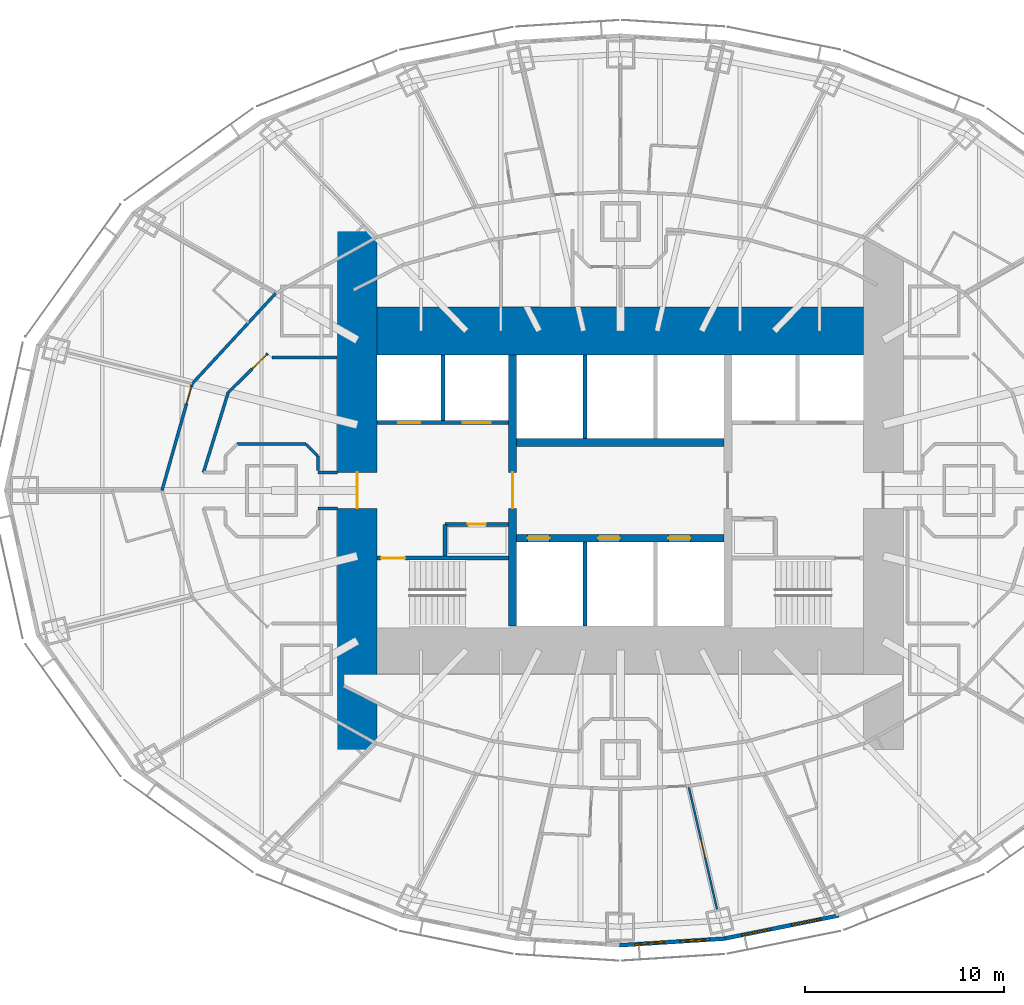
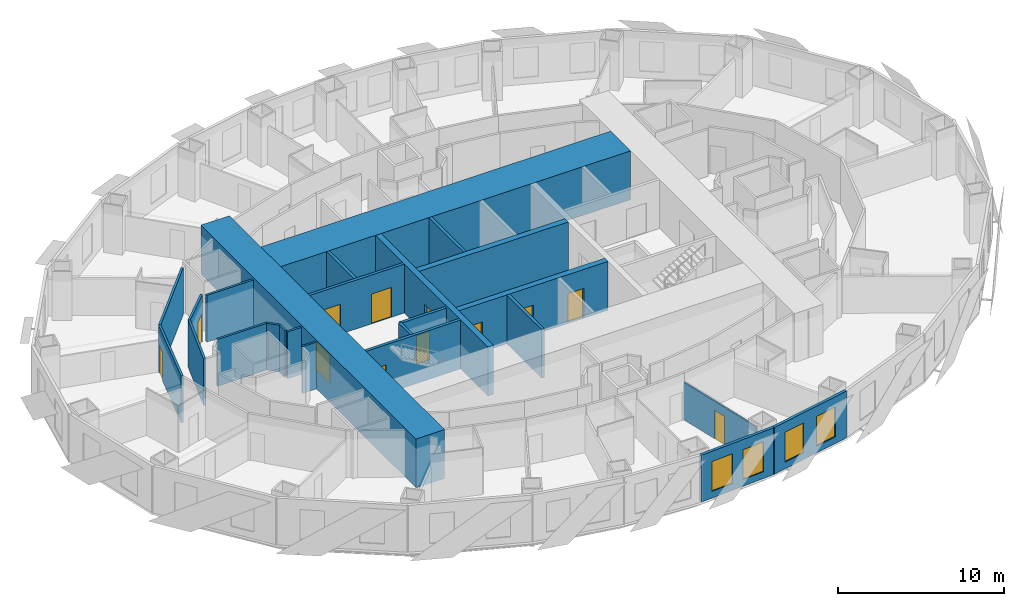
# One storey, part 6 of 15: 25 walls, 12 doors, 4 windows, 16 openings.
"""IFC4 building model written with IfcOpenShell, lengths in metres."""

from ifc_helpers import new_model, si_unit, direction, frame, frame_2d, origin, place, context, subcontext, project, spatial, rectangle, extrude, material, layer, layer_set, type_object, element, fill, save


model = new_model("IFC4")

# Units and contexts
model_context = context("Model", 3, precision=1e-05, world=origin(), true_north=direction((0.0, 1.0)))
body_context = subcontext(model_context, "Body", "Model", "MODEL_VIEW")
ifc_project = project(units=[si_unit("LENGTHUNIT", "METRE"), si_unit("AREAUNIT", "SQUARE_METRE"), si_unit("VOLUMEUNIT", "CUBIC_METRE"), si_unit("PLANEANGLEUNIT", "RADIAN"), si_unit("MASSUNIT", "GRAM", prefix="KILO")], contexts=[model_context])

# Site, building, storey
site_placement = place(None, origin())
site = spatial("IfcSite", under=ifc_project, at=site_placement, CompositionType="ELEMENT")
building_placement = place(site_placement, origin())
building = spatial("IfcBuilding", under=site, at=building_placement, Name="Lantaw Convention Tower", CompositionType="ELEMENT")
storey_placement = place(building_placement, frame((0.0, 0.0, 98.199951171875)))
storey = spatial("IfcBuildingStorey", under=building, at=storey_placement, Name="L23", CompositionType="ELEMENT", Elevation=98.199951171875)

# Wall, opening, door
ifc_material_1 = material(Name="Concrete C60/75", Category="concrete")
ifc_layer_1 = layer(ifc_material_1, 0.199951171875)
ifc_layer_set_1 = layer_set([ifc_layer_1], Name="Core wall 200")
wall_type_1 = type_object("IfcWallType", Name="Core wall 200", PredefinedType="SHEAR", material=ifc_layer_set_1)
wall_1_placement = place(storey_placement, frame((-5.60009765625, -3.39990234375, 0.0), z_axis=(0.0, 0.0, 1.0), x_axis=(-1.0, 0.0, 0.0)))
wall_1 = element("IfcWall", 1, at=wall_1_placement, inside=storey, type_object=wall_type_1, Name="Core wall WS", PredefinedType="SHEAR", context=body_context, shape_type="SweptSolid", body=[
    extrude(rectangle(XDim=6.599853515625, YDim=0.199951171875, at=frame_2d((3.2998046875, 0.0))), origin(), (0.0, 0.0, 1.0), 3.60009765625),
])
opening_1_placement = place(wall_1_placement, frame((5.199951171875, 0.0, 0.0)))
opening_1 = element("IfcOpeningElement", 2, at=opening_1_placement, cuts=wall_1, Name="Opening L23.06", PredefinedType="OPENING", context=body_context, shape_type="SweptSolid", body=[
    extrude(rectangle(XDim=1.199951171875, YDim=2.10009765625, at=frame_2d((0.60009765625, 1.050048828125))), frame((0.0, 0.10986328125, 0.0), z_axis=(0.0, -1.0, 0.0), x_axis=(1.0, 0.0, 0.0)), (0.0, 0.0, 1.0), 0.219970703125),
])
ifc_material_2 = material(Name="Steel, fire rated", Category="steel")
door_type_1 = type_object("IfcDoorType", Name="Stair door FD90", OperationType="SINGLE_SWING_RIGHT", PredefinedType="DOOR", material=ifc_material_2)
door_1_placement = place(opening_1_placement, origin())
door_1 = element("IfcDoor", 3, at=door_1_placement, inside=storey, type_object=door_type_1, Name="Exit stair door", OperationType="SINGLE_SWING_RIGHT", OverallHeight=2.10009765625, OverallWidth=1.199951171875, PredefinedType="DOOR", context=body_context, shape_type="SweptSolid", body=[
    extrude(rectangle(XDim=1.199951171875, YDim=2.10009765625, at=frame_2d((0.60009765625, 1.050048828125))), frame((0.0, 0.02490234375, 0.0), z_axis=(0.0, -1.0, 0.0), x_axis=(1.0, 0.0, 0.0)), (0.0, 0.0, 1.0), 0.050048828125),
])
fill(opening_1, door_1)

ifc_layer_2 = layer(ifc_material_1, 2.0)
ifc_layer_set_2 = layer_set([ifc_layer_2], Name="Core wall 2000")
wall_type_2 = type_object("IfcWallType", Name="Core wall 2000", PredefinedType="SHEAR", material=ifc_layer_set_2)
wall_2_placement = place(storey_placement, frame((-13.199951171875, 13.0, 0.0), z_axis=(0.0, 0.0, 1.0), x_axis=(0.0, -1.0, 0.0)))
wall_2 = element("IfcWall", 4, at=wall_2_placement, inside=storey, type_object=wall_type_2, Name="Core wall W", PredefinedType="SHEAR", context=body_context, shape_type="SweptSolid", body=[
    extrude(rectangle(XDim=26.0, YDim=2.0, at=frame_2d((13.0, 0.0))), origin(), (0.0, 0.0, 1.0), 3.60009765625),
])
opening_2_placement = place(wall_2_placement, frame((12.10009765625, 0.0, 0.0)))
opening_2 = element("IfcOpeningElement", 5, at=opening_2_placement, cuts=wall_2, Name="Opening L23.08", PredefinedType="OPENING", context=body_context, shape_type="SweptSolid", body=[
    extrude(rectangle(XDim=1.800048828125, YDim=2.10009765625, at=frame_2d((0.89990234375, 1.050048828125))), frame((0.0, 1.010009765625, 0.0), z_axis=(0.0, -1.0, 0.0), x_axis=(1.0, 0.0, 0.0)), (0.0, 0.0, 1.0), 2.02001953125),
])
door_type_2 = type_object("IfcDoorType", Name="Lobby double door FD90", OperationType="DOUBLE_DOOR_DOUBLE_SWING", PredefinedType="DOOR", material=ifc_material_2)
door_2_placement = place(opening_2_placement, origin())
door_2 = element("IfcDoor", 6, at=door_2_placement, inside=storey, type_object=door_type_2, Name="Firefighting lobby door", OperationType="DOUBLE_DOOR_DOUBLE_SWING", OverallHeight=2.10009765625, OverallWidth=1.800048828125, PredefinedType="DOOR", context=body_context, shape_type="SweptSolid", body=[
    extrude(rectangle(XDim=1.800048828125, YDim=2.10009765625, at=frame_2d((0.89990234375, 1.050048828125))), frame((0.0, 0.02490234375, 0.0), z_axis=(0.0, -1.0, 0.0), x_axis=(1.0, 0.0, 0.0)), (0.0, 0.0, 1.0), 0.050048828125),
])
fill(opening_2, door_2)

# Wall
ifc_layer_3 = layer(ifc_material_1, 2.39990234375)
ifc_layer_set_3 = layer_set([ifc_layer_3], Name="Core wall 2400")
wall_type_3 = type_object("IfcWallType", Name="Core wall 2400", PredefinedType="SHEAR", material=ifc_layer_set_3)
wall_3_placement = place(storey_placement, frame((12.199951171875, 8.0, 0.0), z_axis=(0.0, 0.0, 1.0), x_axis=(-1.0, 0.0, 0.0)))
element("IfcWall", 7, at=wall_3_placement, inside=storey, type_object=wall_type_3, Name="Core wall N", PredefinedType="SHEAR", context=body_context, shape_type="SweptSolid", body=[
    extrude(rectangle(XDim=24.39990234375, YDim=2.39990234375, at=frame_2d((12.199951171875, 0.0))), origin(), (0.0, 0.0, 1.0), 3.60009765625),
])

# Wall, opening, door
ifc_layer_4 = layer(ifc_material_1, 0.39990234375)
ifc_layer_set_4 = layer_set([ifc_layer_4], Name="Core wall 400")
wall_type_4 = type_object("IfcWallType", Name="Core wall 400", PredefinedType="SHEAR", material=ifc_layer_set_4)
wall_4_placement = place(storey_placement, frame((-5.39990234375, 6.800048828125, 0.0), z_axis=(0.0, 0.0, 1.0), x_axis=(0.0, -1.0, 0.0)))
wall_4 = element("IfcWall", 8, at=wall_4_placement, inside=storey, type_object=wall_type_4, Name="Core wall XW", PredefinedType="SHEAR", context=body_context, shape_type="SweptSolid", body=[
    extrude(rectangle(XDim=13.60009765625, YDim=0.39990234375, at=frame_2d((6.800048828125, 0.0))), origin(), (0.0, 0.0, 1.0), 3.60009765625),
])
opening_3_placement = place(wall_4_placement, frame((5.89990234375, 0.0, 0.0)))
opening_3 = element("IfcOpeningElement", 9, at=opening_3_placement, cuts=wall_4, Name="Opening L23.04", PredefinedType="OPENING", context=body_context, shape_type="SweptSolid", body=[
    extrude(rectangle(XDim=1.800048828125, YDim=2.10009765625, at=frame_2d((0.89990234375, 1.050048828125))), frame((0.0, 0.2099609375, 0.0), z_axis=(0.0, -1.0, 0.0), x_axis=(1.0, 0.0, 0.0)), (0.0, 0.0, 1.0), 0.419921875),
])
door_3_placement = place(opening_3_placement, origin())
door_3 = element("IfcDoor", 10, at=door_3_placement, inside=storey, type_object=door_type_2, Name="Lift lobby door", OperationType="DOUBLE_DOOR_DOUBLE_SWING", OverallHeight=2.10009765625, OverallWidth=1.800048828125, PredefinedType="DOOR", context=body_context, shape_type="SweptSolid", body=[
    extrude(rectangle(XDim=1.800048828125, YDim=2.10009765625, at=frame_2d((0.89990234375, 1.050048828125))), frame((0.0, 0.02490234375, 0.0), z_axis=(0.0, -1.0, 0.0), x_axis=(1.0, 0.0, 0.0)), (0.0, 0.0, 1.0), 0.050048828125),
])
fill(opening_3, door_3)

# Wall, openings, doors
wall_5_placement = place(storey_placement, frame((-5.199951171875, -2.39990234375, 0.0), z_axis=(0.0, 0.0, 1.0), x_axis=(1.0, 0.0, 0.0)))
wall_5 = element("IfcWall", 11, at=wall_5_placement, inside=storey, type_object=wall_type_4, Name="Core wall BS", PredefinedType="SHEAR", context=body_context, shape_type="SweptSolid", body=[
    extrude(rectangle(XDim=10.39990234375, YDim=0.39990234375, at=frame_2d((5.199951171875, 0.0))), origin(), (0.0, 0.0, 1.0), 3.60009765625),
])
opening_4_placement = place(wall_5_placement, frame((0.550048828125, 0.0, 0.0)))
opening_4 = element("IfcOpeningElement", 12, at=opening_4_placement, cuts=wall_5, Name="Opening L23.09", PredefinedType="OPENING", context=body_context, shape_type="SweptSolid", body=[
    extrude(rectangle(XDim=1.10009765625, YDim=2.199951171875, at=frame_2d((0.550048828125, 1.10009765625))), frame((0.0, 0.2099609375, 0.0), z_axis=(0.0, -1.0, 0.0), x_axis=(1.0, 0.0, 0.0)), (0.0, 0.0, 1.0), 0.419921875),
])
opening_5_placement = place(wall_5_placement, frame((4.083251953125, 0.0, 0.0)))
opening_5 = element("IfcOpeningElement", 13, at=opening_5_placement, cuts=wall_5, Name="Opening L23.10", PredefinedType="OPENING", context=body_context, shape_type="SweptSolid", body=[
    extrude(rectangle(XDim=1.10009765625, YDim=2.199951171875, at=frame_2d((0.550048828125, 1.10009765625))), frame((0.0, 0.2099609375, 0.0), z_axis=(0.0, -1.0, 0.0), x_axis=(1.0, 0.0, 0.0)), (0.0, 0.0, 1.0), 0.419921875),
])
opening_6_placement = place(wall_5_placement, frame((7.61669921875, 0.0, 0.0)))
opening_6 = element("IfcOpeningElement", 14, at=opening_6_placement, cuts=wall_5, Name="Opening L23.11", PredefinedType="OPENING", context=body_context, shape_type="SweptSolid", body=[
    extrude(rectangle(XDim=1.10009765625, YDim=2.199951171875, at=frame_2d((0.550048828125, 1.10009765625))), frame((0.0, 0.2099609375, 0.0), z_axis=(0.0, -1.0, 0.0), x_axis=(1.0, 0.0, 0.0)), (0.0, 0.0, 1.0), 0.419921875),
])
ifc_material_3 = material(Name="Stainless steel", Category="steel")
door_type_3 = type_object("IfcDoorType", Name="Lift landing door 1100", OperationType="DOUBLE_DOOR_SLIDING", PredefinedType="DOOR", material=ifc_material_3)
door_4_placement = place(opening_4_placement, origin())
door_4 = element("IfcDoor", 15, at=door_4_placement, inside=storey, type_object=door_type_3, Name="Lift landing door H1", OperationType="DOUBLE_DOOR_SLIDING", OverallHeight=2.199951171875, OverallWidth=1.10009765625, PredefinedType="DOOR", context=body_context, shape_type="SweptSolid", body=[
    extrude(rectangle(XDim=1.10009765625, YDim=2.199951171875, at=frame_2d((0.550048828125, 1.10009765625))), frame((0.0, 0.02490234375, 0.0), z_axis=(0.0, -1.0, 0.0), x_axis=(1.0, 0.0, 0.0)), (0.0, 0.0, 1.0), 0.050048828125),
])
fill(opening_4, door_4)
door_5_placement = place(opening_5_placement, origin())
door_5 = element("IfcDoor", 16, at=door_5_placement, inside=storey, type_object=door_type_3, Name="Lift landing door H2", OperationType="DOUBLE_DOOR_SLIDING", OverallHeight=2.199951171875, OverallWidth=1.10009765625, PredefinedType="DOOR", context=body_context, shape_type="SweptSolid", body=[
    extrude(rectangle(XDim=1.10009765625, YDim=2.199951171875, at=frame_2d((0.550048828125, 1.10009765625))), frame((0.0, 0.02490234375, 0.0), z_axis=(0.0, -1.0, 0.0), x_axis=(1.0, 0.0, 0.0)), (0.0, 0.0, 1.0), 0.050048828125),
])
fill(opening_5, door_5)
door_6_placement = place(opening_6_placement, origin())
door_6 = element("IfcDoor", 17, at=door_6_placement, inside=storey, type_object=door_type_3, Name="Lift landing door H3", OperationType="DOUBLE_DOOR_SLIDING", OverallHeight=2.199951171875, OverallWidth=1.10009765625, PredefinedType="DOOR", context=body_context, shape_type="SweptSolid", body=[
    extrude(rectangle(XDim=1.10009765625, YDim=2.199951171875, at=frame_2d((0.550048828125, 1.10009765625))), frame((0.0, 0.02490234375, 0.0), z_axis=(0.0, -1.0, 0.0), x_axis=(1.0, 0.0, 0.0)), (0.0, 0.0, 1.0), 0.050048828125),
])
fill(opening_6, door_6)

# Walls
wall_6_placement = place(storey_placement, frame((5.199951171875, 2.39990234375, 0.0), z_axis=(0.0, 0.0, 1.0), x_axis=(-1.0, 0.0, 0.0)))
element("IfcWall", 18, at=wall_6_placement, inside=storey, type_object=wall_type_4, Name="Core wall BN", PredefinedType="SHEAR", context=body_context, shape_type="SweptSolid", body=[
    extrude(rectangle(XDim=10.39990234375, YDim=0.39990234375, at=frame_2d((5.199951171875, 0.0))), origin(), (0.0, 0.0, 1.0), 3.60009765625),
])
ifc_material_4 = material(Name="Gypsum board on steel studs, fire rated", Category="steel")
ifc_layer_5 = layer(ifc_material_4, 0.14990234375)
ifc_layer_set_5 = layer_set([ifc_layer_5], Name="Corridor wall 150 EI 60")
wall_type_5 = type_object("IfcWallType", Name="Corridor wall 150 EI 60", PredefinedType="PARTITIONING", material=ifc_layer_set_5)
wall_7_placement = place(storey_placement, frame((-17.299072265625, 9.88525390625, 0.0), z_axis=(0.0, 0.0, 1.0), x_axis=(-0.678641806296, -0.734469399463, 0.0)))
element("IfcWall", 19, at=wall_7_placement, inside=storey, type_object=wall_type_5, Name="Corridor wall 150", PredefinedType="PARTITIONING", context=body_context, shape_type="SweptSolid", body=[
    extrude(rectangle(XDim=6.166015625, YDim=0.14990234375, at=frame_2d((3.0830078125, 0.0))), origin(), (0.0, 0.0, 1.0), 3.449951171875),
])

# Wall, opening, door
wall_8_placement = place(storey_placement, frame((-21.483642578125, 5.3564453125, 0.0), z_axis=(0.0, 0.0, 1.0), x_axis=(-0.272386051236, -0.962188047677, 0.0)))
wall_8 = element("IfcWall", 20, at=wall_8_placement, inside=storey, type_object=wall_type_5, Name="Corridor wall 150", PredefinedType="PARTITIONING", context=body_context, shape_type="SweptSolid", body=[
    extrude(rectangle(XDim=5.56689453125, YDim=0.14990234375, at=frame_2d((2.783447265625, 0.0))), origin(), (0.0, 0.0, 1.0), 3.449951171875),
])
opening_7_placement = place(wall_8_placement, frame((0.14990234375, 0.0, 0.0)))
opening_7 = element("IfcOpeningElement", 21, at=opening_7_placement, cuts=wall_8, Name="Opening L23.42", PredefinedType="OPENING", context=body_context, shape_type="SweptSolid", body=[
    extrude(rectangle(XDim=0.89990234375, YDim=2.10009765625, at=frame_2d((0.449951171875, 1.050048828125))), frame((0.0, 0.0849609375, 0.0), z_axis=(0.0, -1.0, 0.0), x_axis=(1.0, 0.0, 0.0)), (0.0, 0.0, 1.0), 0.169921875),
])
door_type_4 = type_object("IfcDoorType", Name="Guest room entrance door FD30S", OperationType="SINGLE_SWING_LEFT", PredefinedType="DOOR", material=ifc_material_2)
door_7_placement = place(opening_7_placement, origin())
door_7 = element("IfcDoor", 22, at=door_7_placement, inside=storey, type_object=door_type_4, Name="Suite entrance door", OperationType="SINGLE_SWING_LEFT", OverallHeight=2.10009765625, OverallWidth=0.89990234375, PredefinedType="DOOR", context=body_context, shape_type="SweptSolid", body=[
    extrude(rectangle(XDim=0.89990234375, YDim=2.10009765625, at=frame_2d((0.449951171875, 1.050048828125))), frame((0.0, 0.02490234375, 0.0), z_axis=(0.0, -1.0, 0.0), x_axis=(1.0, 0.0, 0.0)), (0.0, 0.0, 1.0), 0.050048828125),
])
fill(opening_7, door_7)

# Walls
wall_9_placement = place(storey_placement, frame((-19.6806640625, 4.906982421875, 0.0), z_axis=(0.0, 0.0, 1.0), x_axis=(-0.295778570807, -0.955256529447, 0.0)))
element("IfcWall", 23, at=wall_9_placement, inside=storey, type_object=wall_type_5, Name="Corridor wall 150", PredefinedType="PARTITIONING", context=body_context, shape_type="SweptSolid", body=[
    extrude(rectangle(XDim=4.19482421875, YDim=0.14990234375, at=frame_2d((2.097412109375, 0.0))), origin(), (0.0, 0.0, 1.0), 3.449951171875),
])
for number, where, z_axis, x_axis, name in (
    (24, (-14.199951171875, -0.89990234375, 0.0), (0.0, 0.0, 1.0), (-1.0, 0.0, 0.0), "Corridor wall 150"),
    (25, (-14.199951171875, 0.89990234375, 0.0), (0.0, 0.0, 1.0), (-1.0, 0.0, 0.0), "Corridor wall 150"),
):
    element("IfcWall", number, at=place(storey_placement, frame(where, z_axis=z_axis, x_axis=x_axis)), inside=storey, type_object=wall_type_5, Name=name, PredefinedType="PARTITIONING", context=body_context, shape_type="SweptSolid", body=[
        extrude(rectangle(XDim=0.965087890625, YDim=0.14990234375, at=frame_2d((0.482421875, 0.0))), origin(), (0.0, 0.0, 1.0), 3.449951171875),
    ])
wall_10_placement = place(storey_placement, frame((-19.224609375, 2.324951171875, 0.0), z_axis=(0.0, 0.0, 1.0), x_axis=(1.0, 0.0, 0.0)))
element("IfcWall", 26, at=wall_10_placement, inside=storey, type_object=wall_type_5, Name="Corridor wall 150", PredefinedType="PARTITIONING", context=body_context, shape_type="SweptSolid", body=[
    extrude(rectangle(XDim=3.44921875, YDim=0.14990234375, at=frame_2d((1.724609375, 0.0))), origin(), (0.0, 0.0, 1.0), 3.449951171875),
])
wall_11_placement = place(storey_placement, frame((-15.775390625, 2.324951171875, 0.0), z_axis=(0.0, 0.0, 1.0), x_axis=(0.707106781187, -0.707106781187, 0.0)))
element("IfcWall", 27, at=wall_11_placement, inside=storey, type_object=wall_type_5, Name="Corridor wall 150", PredefinedType="PARTITIONING", context=body_context, shape_type="SweptSolid", body=[
    extrude(rectangle(XDim=0.84912109375, YDim=0.14990234375, at=frame_2d((0.424560546875, 0.0))), origin(), (0.0, 0.0, 1.0), 3.449951171875),
])
wall_12_placement = place(storey_placement, frame((-15.175048828125, 1.724609375, 0.0), z_axis=(0.0, 0.0, 1.0), x_axis=(0.0, -1.0, 0.0)))
element("IfcWall", 28, at=wall_12_placement, inside=storey, type_object=wall_type_5, Name="Corridor wall 150", PredefinedType="PARTITIONING", context=body_context, shape_type="SweptSolid", body=[
    extrude(rectangle(XDim=0.721435546875, YDim=0.14990234375, at=frame_2d((0.36083984375, 0.0))), origin(), (0.0, 0.0, 1.0), 3.449951171875),
])

# Wall, opening, door
wall_13_placement = place(storey_placement, frame((-17.690185546875, 6.87646484375, 0.0), z_axis=(0.0, 0.0, 1.0), x_axis=(-0.710845937688, -0.70334774676, 0.0)))
wall_13 = element("IfcWall", 29, at=wall_13_placement, inside=storey, type_object=wall_type_5, Name="Corridor wall 150", PredefinedType="PARTITIONING", context=body_context, shape_type="SweptSolid", body=[
    extrude(rectangle(XDim=2.800048828125, YDim=0.14990234375, at=frame_2d((1.39990234375, 0.0))), origin(), (0.0, 0.0, 1.0), 3.449951171875),
])
opening_8_placement = place(wall_13_placement, frame((0.10009765625, 0.0, 0.0)))
opening_8 = element("IfcOpeningElement", 30, at=opening_8_placement, cuts=wall_13, Name="Opening L23.21", PredefinedType="OPENING", context=body_context, shape_type="SweptSolid", body=[
    extrude(rectangle(XDim=1.0, YDim=2.10009765625, at=frame_2d((0.5, 1.050048828125))), frame((0.0, 0.0849609375, 0.0), z_axis=(0.0, -1.0, 0.0), x_axis=(1.0, 0.0, 0.0)), (0.0, 0.0, 1.0), 0.169921875),
])
door_type_5 = type_object("IfcDoorType", Name="Service door 1000 FD30", OperationType="SINGLE_SWING_LEFT", PredefinedType="DOOR", material=ifc_material_2)
door_8_placement = place(opening_8_placement, origin())
door_8 = element("IfcDoor", 31, at=door_8_placement, inside=storey, type_object=door_type_5, Name="Housekeeping room door", OperationType="SINGLE_SWING_LEFT", OverallHeight=2.10009765625, OverallWidth=1.0, PredefinedType="DOOR", context=body_context, shape_type="SweptSolid", body=[
    extrude(rectangle(XDim=1.0, YDim=2.10009765625, at=frame_2d((0.5, 1.050048828125))), frame((0.0, 0.02490234375, 0.0), z_axis=(0.0, -1.0, 0.0), x_axis=(1.0, 0.0, 0.0)), (0.0, 0.0, 1.0), 0.050048828125),
])
fill(opening_8, door_8)

# Wall
wall_14_placement = place(storey_placement, frame((-14.22998046875, 6.675048828125, 0.0), z_axis=(0.0, 0.0, 1.0), x_axis=(-1.0, 0.0, 0.0)))
element("IfcWall", 32, at=wall_14_placement, inside=storey, type_object=wall_type_5, Name="Corridor wall 150", PredefinedType="PARTITIONING", context=body_context, shape_type="SweptSolid", body=[
    extrude(rectangle(XDim=3.24462890625, YDim=0.14990234375, at=frame_2d((1.622314453125, 0.0))), origin(), (0.0, 0.0, 1.0), 3.449951171875),
])

# Wall, openings, windows
ifc_material_5 = material(Name="Insulated aluminium panel on steel frame", Category="steel")
ifc_layer_6 = layer(ifc_material_5, 0.199951171875)
ifc_layer_set_6 = layer_set([ifc_layer_6], Name="External wall 200")
wall_type_6 = type_object("IfcWallType", Name="External wall 200", PredefinedType="SOLIDWALL", material=ifc_layer_set_6)
wall_15_placement = place(storey_placement, frame((-0.041015625, -22.8271484375, 0.0), z_axis=(0.0, 0.0, 1.0), x_axis=(0.998018582375, 0.062919863585, 0.0)))
wall_15 = element("IfcWall", 33, at=wall_15_placement, inside=storey, type_object=wall_type_6, Name="Facade panel wall", PredefinedType="SOLIDWALL", context=body_context, shape_type="SweptSolid", body=[
    extrude(rectangle(XDim=5.30419921875, YDim=0.199951171875, at=frame_2d((2.652099609375, 0.0))), origin(), (0.0, 0.0, 1.0), 3.449951171875),
])
opening_9_placement = place(wall_15_placement, frame((0.77587890625, 0.0, 0.5)))
opening_9 = element("IfcOpeningElement", 34, at=opening_9_placement, cuts=wall_15, Name="Opening W2", PredefinedType="OPENING", context=body_context, shape_type="SweptSolid", body=[
    extrude(rectangle(XDim=1.5, YDim=2.199951171875, at=frame_2d((0.75, 1.10009765625))), frame((0.0, 0.10986328125, 0.0), z_axis=(0.0, -1.0, 0.0), x_axis=(1.0, 0.0, 0.0)), (0.0, 0.0, 1.0), 0.219970703125),
])
opening_10_placement = place(wall_15_placement, frame((3.028076171875, 0.0, 0.5)))
opening_10 = element("IfcOpeningElement", 35, at=opening_10_placement, cuts=wall_15, Name="Opening W2", PredefinedType="OPENING", context=body_context, shape_type="SweptSolid", body=[
    extrude(rectangle(XDim=1.5, YDim=2.199951171875, at=frame_2d((0.75, 1.10009765625))), frame((0.0, 0.10986328125, 0.0), z_axis=(0.0, -1.0, 0.0), x_axis=(1.0, 0.0, 0.0)), (0.0, 0.0, 1.0), 0.219970703125),
])
ifc_material_6 = material(Name="Aluminium frame, clear insulating glass", Category="aluminium")
window_type = type_object("IfcWindowType", Name="Suite window 1500x2200", PartitioningType="SINGLE_PANEL", PredefinedType="WINDOW", material=ifc_material_6)
window_1_placement = place(opening_9_placement, origin())
window_1 = element("IfcWindow", 36, at=window_1_placement, inside=storey, type_object=window_type, Name="Guest room window", OverallHeight=2.199951171875, OverallWidth=1.5, PartitioningType="SINGLE_PANEL", PredefinedType="WINDOW", context=body_context, shape_type="SweptSolid", body=[
    extrude(rectangle(XDim=1.5, YDim=2.199951171875, at=frame_2d((0.75, 1.10009765625))), frame((0.0, 0.030029296875, 0.0), z_axis=(0.0, -1.0, 0.0), x_axis=(1.0, 0.0, 0.0)), (0.0, 0.0, 1.0), 0.06005859375),
])
fill(opening_9, window_1)
window_2_placement = place(opening_10_placement, origin())
window_2 = element("IfcWindow", 37, at=window_2_placement, inside=storey, type_object=window_type, Name="Guest room window", OverallHeight=2.199951171875, OverallWidth=1.5, PartitioningType="SINGLE_PANEL", PredefinedType="WINDOW", context=body_context, shape_type="SweptSolid", body=[
    extrude(rectangle(XDim=1.5, YDim=2.199951171875, at=frame_2d((0.75, 1.10009765625))), frame((0.0, 0.030029296875, 0.0), z_axis=(0.0, -1.0, 0.0), x_axis=(1.0, 0.0, 0.0)), (0.0, 0.0, 1.0), 0.06005859375),
])
fill(opening_10, window_2)

wall_16_placement = place(storey_placement, frame((5.169677734375, -22.504150390625, 0.0), z_axis=(0.0, 0.0, 1.0), x_axis=(0.980251657452, 0.197754110105, 0.0)))
wall_16 = element("IfcWall", 38, at=wall_16_placement, inside=storey, type_object=wall_type_6, Name="Facade panel wall", PredefinedType="SOLIDWALL", context=body_context, shape_type="SweptSolid", body=[
    extrude(rectangle(XDim=5.90380859375, YDim=0.199951171875, at=frame_2d((2.951904296875, 0.0))), origin(), (0.0, 0.0, 1.0), 3.449951171875),
])
opening_11_placement = place(wall_16_placement, frame((0.92578125, 0.0, 0.5)))
opening_11 = element("IfcOpeningElement", 39, at=opening_11_placement, cuts=wall_16, Name="Opening W2", PredefinedType="OPENING", context=body_context, shape_type="SweptSolid", body=[
    extrude(rectangle(XDim=1.5, YDim=2.199951171875, at=frame_2d((0.75, 1.10009765625))), frame((0.0, 0.10986328125, 0.0), z_axis=(0.0, -1.0, 0.0), x_axis=(1.0, 0.0, 0.0)), (0.0, 0.0, 1.0), 0.219970703125),
])
opening_12_placement = place(wall_16_placement, frame((3.477783203125, 0.0, 0.5)))
opening_12 = element("IfcOpeningElement", 40, at=opening_12_placement, cuts=wall_16, Name="Opening W2", PredefinedType="OPENING", context=body_context, shape_type="SweptSolid", body=[
    extrude(rectangle(XDim=1.5, YDim=2.199951171875, at=frame_2d((0.75, 1.10009765625))), frame((0.0, 0.10986328125, 0.0), z_axis=(0.0, -1.0, 0.0), x_axis=(1.0, 0.0, 0.0)), (0.0, 0.0, 1.0), 0.219970703125),
])
window_3_placement = place(opening_11_placement, origin())
window_3 = element("IfcWindow", 41, at=window_3_placement, inside=storey, type_object=window_type, Name="Guest room window", OverallHeight=2.199951171875, OverallWidth=1.5, PartitioningType="SINGLE_PANEL", PredefinedType="WINDOW", context=body_context, shape_type="SweptSolid", body=[
    extrude(rectangle(XDim=1.5, YDim=2.199951171875, at=frame_2d((0.75, 1.10009765625))), frame((0.0, 0.030029296875, 0.0), z_axis=(0.0, -1.0, 0.0), x_axis=(1.0, 0.0, 0.0)), (0.0, 0.0, 1.0), 0.06005859375),
])
fill(opening_11, window_3)
window_4_placement = place(opening_12_placement, origin())
window_4 = element("IfcWindow", 42, at=window_4_placement, inside=storey, type_object=window_type, Name="Guest room window", OverallHeight=2.199951171875, OverallWidth=1.5, PartitioningType="SINGLE_PANEL", PredefinedType="WINDOW", context=body_context, shape_type="SweptSolid", body=[
    extrude(rectangle(XDim=1.5, YDim=2.199951171875, at=frame_2d((0.75, 1.10009765625))), frame((0.0, 0.030029296875, 0.0), z_axis=(0.0, -1.0, 0.0), x_axis=(1.0, 0.0, 0.0)), (0.0, 0.0, 1.0), 0.06005859375),
])
fill(opening_12, window_4)

# Wall, opening, door
ifc_material_7 = material(Name="Concrete blockwork, fire rated", Category="masonry")
ifc_layer_7 = layer(ifc_material_7, 0.199951171875)
ifc_layer_set_7 = layer_set([ifc_layer_7], Name="Plant room wall 200 EI 120")
wall_type_7 = type_object("IfcWallType", Name="Plant room wall 200 EI 120", PredefinedType="SOLIDWALL", material=ifc_layer_set_7)
wall_17_placement = place(storey_placement, frame((-5.60009765625, -1.699951171875, 0.0), z_axis=(0.0, 0.0, 1.0), x_axis=(-1.0, 0.0, 0.0)))
wall_17 = element("IfcWall", 43, at=wall_17_placement, inside=storey, type_object=wall_type_7, Name="Plant room wall 200", PredefinedType="SOLIDWALL", context=body_context, shape_type="SweptSolid", body=[
    extrude(rectangle(XDim=3.199951171875, YDim=0.199951171875, at=frame_2d((1.60009765625, 0.0))), origin(), (0.0, 0.0, 1.0), 3.449951171875),
])
opening_13_placement = place(wall_17_placement, frame((1.14990234375, 0.0, 0.0)))
opening_13 = element("IfcOpeningElement", 44, at=opening_13_placement, cuts=wall_17, Name="Opening L23.01", PredefinedType="OPENING", context=body_context, shape_type="SweptSolid", body=[
    extrude(rectangle(XDim=0.89990234375, YDim=2.10009765625, at=frame_2d((0.449951171875, 1.050048828125))), frame((0.0, 0.10986328125, 0.0), z_axis=(0.0, -1.0, 0.0), x_axis=(1.0, 0.0, 0.0)), (0.0, 0.0, 1.0), 0.219970703125),
])
door_type_6 = type_object("IfcDoorType", Name="Service door 900 FD60", OperationType="SINGLE_SWING_LEFT", PredefinedType="DOOR", material=ifc_material_2)
door_9_placement = place(opening_13_placement, origin())
door_9 = element("IfcDoor", 45, at=door_9_placement, inside=storey, type_object=door_type_6, Name="IT and comms room door", OperationType="SINGLE_SWING_LEFT", OverallHeight=2.10009765625, OverallWidth=0.89990234375, PredefinedType="DOOR", context=body_context, shape_type="SweptSolid", body=[
    extrude(rectangle(XDim=0.89990234375, YDim=2.10009765625, at=frame_2d((0.449951171875, 1.050048828125))), frame((0.0, 0.02490234375, 0.0), z_axis=(0.0, -1.0, 0.0), x_axis=(1.0, 0.0, 0.0)), (0.0, 0.0, 1.0), 0.050048828125),
])
fill(opening_13, door_9)

# Walls
wall_18_placement = place(storey_placement, frame((-8.800048828125, -1.699951171875, 0.0), z_axis=(0.0, 0.0, 1.0), x_axis=(0.0, -1.0, 0.0)))
element("IfcWall", 46, at=wall_18_placement, inside=storey, type_object=wall_type_7, Name="Plant room wall 200", PredefinedType="SOLIDWALL", context=body_context, shape_type="SweptSolid", body=[
    extrude(rectangle(XDim=1.60009765625, YDim=0.199951171875, at=frame_2d((0.800048828125, 0.0))), origin(), (0.0, 0.0, 1.0), 3.449951171875),
])
ifc_layer_8 = layer(ifc_material_7, 0.199951171875)
ifc_layer_set_8 = layer_set([ifc_layer_8], Name="Shaft wall 200")
wall_type_8 = type_object("IfcWallType", Name="Shaft wall 200", PredefinedType="SOLIDWALL", material=ifc_layer_set_8)
wall_19_placement = place(storey_placement, frame((-1.7666015625, 2.60009765625, 0.0), z_axis=(0.0, 0.0, 1.0), x_axis=(0.0, 1.0, 0.0)))
element("IfcWall", 47, at=wall_19_placement, inside=storey, type_object=wall_type_8, Name="Shaft wall DN1", PredefinedType="SOLIDWALL", context=body_context, shape_type="SweptSolid", body=[
    extrude(rectangle(XDim=4.199951171875, YDim=0.199951171875, at=frame_2d((2.10009765625, 0.0))), origin(), (0.0, 0.0, 1.0), 3.60009765625),
])

# Wall, openings, doors
wall_20_placement = place(storey_placement, frame((-12.199951171875, 3.39990234375, 0.0), z_axis=(0.0, 0.0, 1.0), x_axis=(1.0, 0.0, 0.0)))
wall_20 = element("IfcWall", 48, at=wall_20_placement, inside=storey, type_object=wall_type_8, Name="Shaft wall WN", PredefinedType="SOLIDWALL", context=body_context, shape_type="SweptSolid", body=[
    extrude(rectangle(XDim=6.599853515625, YDim=0.199951171875, at=frame_2d((3.2998046875, 0.0))), origin(), (0.0, 0.0, 1.0), 3.60009765625),
])
opening_14_placement = place(wall_20_placement, frame((1.050048828125, 0.0, 0.0)))
opening_14 = element("IfcOpeningElement", 49, at=opening_14_placement, cuts=wall_20, Name="Opening L23.12", PredefinedType="OPENING", context=body_context, shape_type="SweptSolid", body=[
    extrude(rectangle(XDim=1.10009765625, YDim=2.199951171875, at=frame_2d((0.550048828125, 1.10009765625))), frame((0.0, 0.10986328125, 0.0), z_axis=(0.0, -1.0, 0.0), x_axis=(1.0, 0.0, 0.0)), (0.0, 0.0, 1.0), 0.219970703125),
])
opening_15_placement = place(wall_20_placement, frame((4.300048828125, 0.0, 0.0)))
opening_15 = element("IfcOpeningElement", 50, at=opening_15_placement, cuts=wall_20, Name="Opening L23.13", PredefinedType="OPENING", context=body_context, shape_type="SweptSolid", body=[
    extrude(rectangle(XDim=1.39990234375, YDim=2.199951171875, at=frame_2d((0.699951171875, 1.10009765625))), frame((0.0, 0.10986328125, 0.0), z_axis=(0.0, -1.0, 0.0), x_axis=(1.0, 0.0, 0.0)), (0.0, 0.0, 1.0), 0.219970703125),
])
door_10_placement = place(opening_14_placement, origin())
door_10 = element("IfcDoor", 51, at=door_10_placement, inside=storey, type_object=door_type_3, Name="Lift landing door FF1", OperationType="DOUBLE_DOOR_SLIDING", OverallHeight=2.199951171875, OverallWidth=1.10009765625, PredefinedType="DOOR", context=body_context, shape_type="SweptSolid", body=[
    extrude(rectangle(XDim=1.10009765625, YDim=2.199951171875, at=frame_2d((0.550048828125, 1.10009765625))), frame((0.0, 0.02490234375, 0.0), z_axis=(0.0, -1.0, 0.0), x_axis=(1.0, 0.0, 0.0)), (0.0, 0.0, 1.0), 0.050048828125),
])
fill(opening_14, door_10)
door_type_7 = type_object("IfcDoorType", Name="Lift landing door 1400", OperationType="DOUBLE_DOOR_SLIDING", PredefinedType="DOOR", material=ifc_material_3)
door_11_placement = place(opening_15_placement, origin())
door_11 = element("IfcDoor", 52, at=door_11_placement, inside=storey, type_object=door_type_7, Name="Lift landing door SV1", OperationType="DOUBLE_DOOR_SLIDING", OverallHeight=2.199951171875, OverallWidth=1.39990234375, PredefinedType="DOOR", context=body_context, shape_type="SweptSolid", body=[
    extrude(rectangle(XDim=1.39990234375, YDim=2.199951171875, at=frame_2d((0.699951171875, 1.10009765625))), frame((0.0, 0.02490234375, 0.0), z_axis=(0.0, -1.0, 0.0), x_axis=(1.0, 0.0, 0.0)), (0.0, 0.0, 1.0), 0.050048828125),
])
fill(opening_15, door_11)

# Walls
wall_21_placement = place(storey_placement, frame((-8.89990234375, 3.5, 0.0), z_axis=(0.0, 0.0, 1.0), x_axis=(0.0, 1.0, 0.0)))
element("IfcWall", 53, at=wall_21_placement, inside=storey, type_object=wall_type_8, Name="Shaft wall WD", PredefinedType="SOLIDWALL", context=body_context, shape_type="SweptSolid", body=[
    extrude(rectangle(XDim=3.300048828125, YDim=0.199951171875, at=frame_2d((1.64990234375, 0.0))), origin(), (0.0, 0.0, 1.0), 3.60009765625),
])
ifc_layer_9 = layer(ifc_material_7, 0.199951171875)
ifc_layer_set_9 = layer_set([ifc_layer_9], Name="Shaft wall 200 load-bearing")
wall_type_9 = type_object("IfcWallType", Name="Shaft wall 200 load-bearing", PredefinedType="SOLIDWALL", material=ifc_layer_set_9)
wall_22_placement = place(storey_placement, frame((-1.7666015625, -2.60009765625, 0.0), z_axis=(0.0, 0.0, 1.0), x_axis=(0.0, -1.0, 0.0)))
element("IfcWall", 54, at=wall_22_placement, inside=storey, type_object=wall_type_9, Name="Shaft wall DS1", PredefinedType="SOLIDWALL", context=body_context, shape_type="SweptSolid", body=[
    extrude(rectangle(XDim=4.199951171875, YDim=0.199951171875, at=frame_2d((2.10009765625, 0.0))), origin(), (0.0, 0.0, 1.0), 3.60009765625),
])

# Wall, opening, door
ifc_material_8 = material(Name="Gypsum board on steel studs", Category="steel")
ifc_layer_10 = layer(ifc_material_8, 0.10009765625)
ifc_layer_set_10 = layer_set([ifc_layer_10], Name="Suite partition 100")
wall_type_10 = type_object("IfcWallType", Name="Suite partition 100", PredefinedType="PARTITIONING", material=ifc_layer_set_10)
wall_23_placement = place(storey_placement, frame((4.873779296875, -21.11083984375, 0.0), z_axis=(0.0, 0.0, 1.0), x_axis=(-0.224959129168, 0.97436820053, 0.0)))
wall_23 = element("IfcWall", 55, at=wall_23_placement, inside=storey, type_object=wall_type_10, Name="Suite partition 100", PredefinedType="PARTITIONING", context=body_context, shape_type="SweptSolid", body=[
    extrude(rectangle(XDim=6.443115234375, YDim=0.10009765625, at=frame_2d((3.2216796875, 0.0))), origin(), (0.0, 0.0, 1.0), 2.766845703125),
])
opening_16_placement = place(wall_23_placement, frame((2.771484375, 0.0, 0.0)))
opening_16 = element("IfcOpeningElement", 56, at=opening_16_placement, cuts=wall_23, Name="Opening L23.52", PredefinedType="OPENING", context=body_context, shape_type="SweptSolid", body=[
    extrude(rectangle(XDim=0.89990234375, YDim=2.10009765625, at=frame_2d((0.449951171875, 1.050048828125))), frame((0.0, 0.06005859375, 0.0), z_axis=(0.0, -1.0, 0.0), x_axis=(1.0, 0.0, 0.0)), (0.0, 0.0, 1.0), 0.1201171875),
])
ifc_material_9 = material(Name="Timber", Category="wood")
door_type_8 = type_object("IfcDoorType", Name="Suite door 900", OperationType="SINGLE_SWING_LEFT", PredefinedType="DOOR", material=ifc_material_9)
door_12_placement = place(opening_16_placement, origin())
door_12 = element("IfcDoor", 57, at=door_12_placement, inside=storey, type_object=door_type_8, Name="Kitchenette door", OperationType="SINGLE_SWING_LEFT", OverallHeight=2.10009765625, OverallWidth=0.89990234375, PredefinedType="DOOR", context=body_context, shape_type="SweptSolid", body=[
    extrude(rectangle(XDim=0.89990234375, YDim=2.10009765625, at=frame_2d((0.449951171875, 1.050048828125))), frame((0.0, 0.02490234375, 0.0), z_axis=(0.0, -1.0, 0.0), x_axis=(1.0, 0.0, 0.0)), (0.0, 0.0, 1.0), 0.050048828125),
])
fill(opening_16, door_12)

save(model, "model.ifc")
